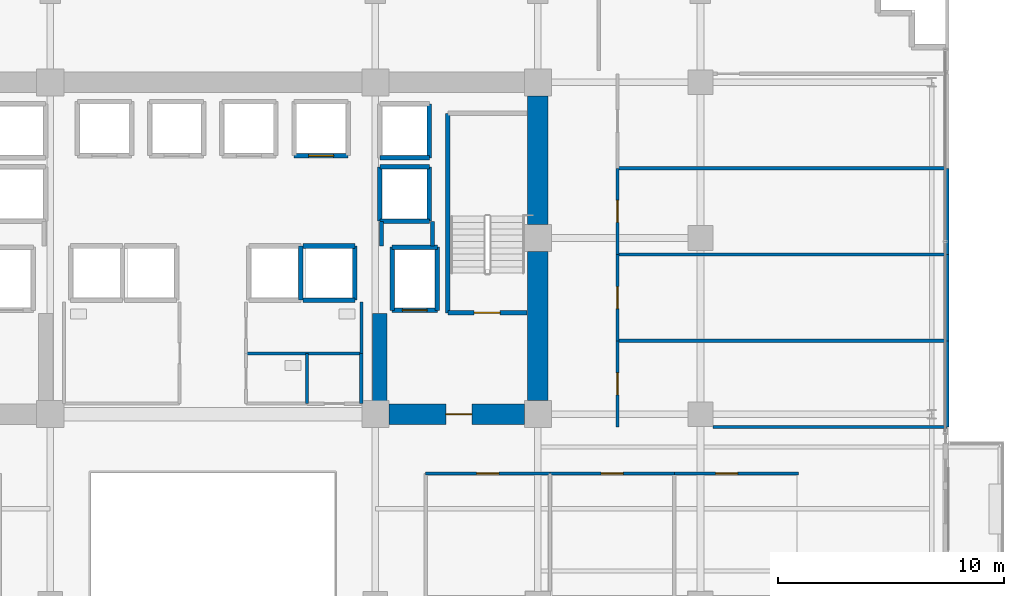
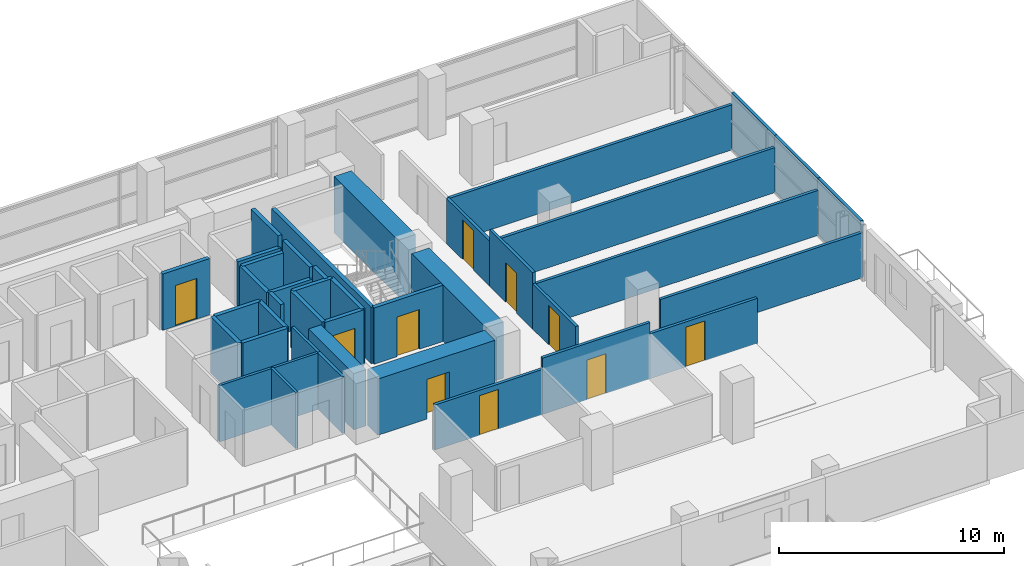
# One storey, part 21 of 27: 40 walls, 10 doors, 10 openings.
"""IFC4 building model written with IfcOpenShell, lengths in metres."""

from ifc_helpers import new_model, si_unit, direction, frame, frame_2d, origin, place, context, subcontext, project, spatial, rectangle, extrude, source, transform, mapped, material, layer, layer_set, type_object, element, fill, save


model = new_model("IFC4")

# Units and contexts
model_context = context("Model", 3, precision=1e-05, world=origin(), true_north=direction((0.0, 1.0)))
body_context = subcontext(model_context, "Body", "Model", "MODEL_VIEW")
ifc_project = project(units=[si_unit("LENGTHUNIT", "METRE"), si_unit("AREAUNIT", "SQUARE_METRE"), si_unit("VOLUMEUNIT", "CUBIC_METRE"), si_unit("PLANEANGLEUNIT", "RADIAN"), si_unit("MASSUNIT", "GRAM", prefix="KILO")], contexts=[model_context])

# Site, building, storey
site_placement = place(None, origin())
site = spatial("IfcSite", under=ifc_project, at=site_placement, CompositionType="ELEMENT")
building_placement = place(site_placement, origin())
building = spatial("IfcBuilding", under=site, at=building_placement, Name="Zarnakvel Exchange Tower", CompositionType="ELEMENT")
storey_placement = place(building_placement, frame((0.0, 0.0, 76.89990234375)))
storey = spatial("IfcBuildingStorey", under=building, at=storey_placement, Name="L21", CompositionType="ELEMENT", Elevation=76.89990234375)

# Walls
ifc_material_1 = material(Name="Concrete C80/95", Category="concrete")
ifc_layer_1 = layer(ifc_material_1, 0.89990234375)
ifc_layer_set_1 = layer_set([ifc_layer_1], Name="Concrete C80/95")
wall_type_1 = type_object("IfcWallType", Name="CW-C1", PredefinedType="SHEAR", material=ifc_layer_set_1)
wall_1_placement = place(storey_placement, frame((14.39990234375, -0.60009765625, 0.0), z_axis=(0.0, 0.0, 1.0), x_axis=(0.0, 1.0, 0.0)))
element("IfcWall", 1, at=wall_1_placement, inside=storey, type_object=wall_type_1, Name="L21 Rear Core Shear Wall E1 (CW-C1)", PredefinedType="SHEAR", context=body_context, shape_type="SweptSolid", body=[
    extrude(rectangle(XDim=6.60009765625, YDim=0.89990234375, at=frame_2d((3.300048828125, 0.0))), origin(), (0.0, 0.0, 1.0), 3.050048828125),
])
wall_2_placement = place(storey_placement, frame((14.39990234375, 7.199951171875, 0.0), z_axis=(0.0, 0.0, 1.0), x_axis=(0.0, 1.0, 0.0)))
element("IfcWall", 2, at=wall_2_placement, inside=storey, type_object=wall_type_1, Name="L21 Rear Core Shear Wall E2 (CW-C1)", PredefinedType="SHEAR", context=body_context, shape_type="SweptSolid", body=[
    extrude(rectangle(XDim=5.699951171875, YDim=0.89990234375, at=frame_2d((2.85009765625, 0.0))), origin(), (0.0, 0.0, 1.0), 3.050048828125),
])

# Wall, opening, door
wall_3_placement = place(storey_placement, frame((13.800048828125, -1.199951171875, 0.0), z_axis=(0.0, 0.0, 1.0), x_axis=(-1.0, 0.0, 0.0)))
wall_3 = element("IfcWall", 3, at=wall_3_placement, inside=storey, type_object=wall_type_1, Name="L21 Rear Core Shear Wall SE (CW-C1)", PredefinedType="SHEAR", context=body_context, shape_type="SweptSolid", body=[
    extrude(rectangle(XDim=6.0, YDim=0.89990234375, at=frame_2d((3.0, 0.0))), origin(), (0.0, 0.0, 1.0), 3.050048828125),
])
opening_1_placement = place(wall_3_placement, frame((2.324951171875, 0.0, 0.0)))
opening_1 = element("IfcOpeningElement", 4, at=opening_1_placement, cuts=wall_3, Name="Opening D-L21-04", PredefinedType="OPENING", context=body_context, shape_type="SweptSolid", body=[
    extrude(rectangle(XDim=1.14990234375, YDim=2.14990234375, at=frame_2d((0.574951171875, 1.074951171875))), frame((0.0, 0.4599609375, 0.0), z_axis=(0.0, -1.0, 0.0), x_axis=(1.0, 0.0, 0.0)), (0.0, 0.0, 1.0), 0.919921875),
])
ifc_material_2 = material(Name="Painted Galvanised Steel S355", Category="steel")
door_type_1 = type_object("IfcDoorType", Name="DT-04", OperationType="NOTDEFINED", PredefinedType="DOOR", material=ifc_material_2)
shared_shape_1 = source(origin(), body_context, "Body", "SweptSolid", [
    extrude(rectangle(XDim=1.14990234375, YDim=2.14990234375, at=frame_2d((0.574951171875, 1.074951171875))), frame((0.0, 0.02490234375, 0.0), z_axis=(0.0, -1.0, 0.0), x_axis=(1.0, 0.0, 0.0)), (0.0, 0.0, 1.0), 0.050048828125),
])
door_1_placement = place(opening_1_placement, origin())
door_1 = element("IfcDoor", 5, at=door_1_placement, inside=storey, type_object=door_type_1, Name="L21 Firefighting Lobby East Door D-L21-04", OperationType="SINGLE_SWING_LEFT", OverallHeight=2.14990234375, OverallWidth=1.14990234375, PredefinedType="DOOR", context=body_context, shape_type="MappedRepresentation", body=[
    mapped(shared_shape_1, transform((0.0, 0.0, 0.0), x_axis=(1.0, 0.0, 0.0), y_axis=(0.0, 1.0, 0.0), z_axis=(0.0, 0.0, 1.0), scale=1.0)),
])
fill(opening_1, door_1)

# Walls
ifc_layer_2 = layer(ifc_material_1, 0.64990234375)
ifc_layer_set_2 = layer_set([ifc_layer_2], Name="Concrete C80/95")
wall_type_2 = type_object("IfcWallType", Name="CW-C2", PredefinedType="SHEAR", material=ifc_layer_set_2)
wall_4_placement = place(storey_placement, frame((7.39990234375, -0.75, 0.0), z_axis=(0.0, 0.0, 1.0), x_axis=(0.0, 1.0, 0.0)))
element("IfcWall", 6, at=wall_4_placement, inside=storey, type_object=wall_type_2, Name="L21 Rear Core Shear Wall IE (CW-C2)", PredefinedType="SHEAR", context=body_context, shape_type="SweptSolid", body=[
    extrude(rectangle(XDim=4.0, YDim=0.64990234375, at=frame_2d((2.0, 0.0))), origin(), (0.0, 0.0, 1.0), 3.050048828125),
])
ifc_material_3 = material(Name="Fire-Rated Gypsum Stud Partition", Category="gypsum")
ifc_layer_3 = layer(ifc_material_3, 0.14990234375)
ifc_layer_set_3 = layer_set([ifc_layer_3], Name="Fire-Rated Gypsum Stud Partition")
wall_type_3 = type_object("IfcWallType", Name="PT-01", PredefinedType="PARTITIONING", material=ifc_layer_set_3)
wall_5_placement = place(storey_placement, frame((6.580078125, 1.47998046875, 0.0), z_axis=(0.0, 0.0, 1.0), x_axis=(0.0, -1.0, 0.0)))
element("IfcWall", 7, at=wall_5_placement, inside=storey, type_object=wall_type_3, Name="L21 Partition Wall PWALL-L21-021 (PT-01)", PredefinedType="PARTITIONING", context=body_context, shape_type="SweptSolid", body=[
    extrude(rectangle(XDim=2.2099609375, YDim=0.14990234375, at=frame_2d((1.10498046875, 0.0))), origin(), (0.0, 0.0, 1.0), 3.050048828125),
])

# Wall, opening, door
wall_6_placement = place(storey_placement, frame((9.429931640625, -3.830078125, 0.0), z_axis=(0.0, 0.0, 1.0), x_axis=(1.0, 0.0, 0.0)))
wall_6 = element("IfcWall", 8, at=wall_6_placement, inside=storey, type_object=wall_type_3, Name="L21 Partition Wall PWALL-L21-032 (PT-01)", PredefinedType="PARTITIONING", context=body_context, shape_type="SweptSolid", body=[
    extrude(rectangle(XDim=5.507568359375, YDim=0.14990234375, at=frame_2d((2.75390625, 0.0))), origin(), (0.0, 0.0, 1.0), 2.440185546875),
])
opening_2_placement = place(wall_6_placement, frame((2.263916015625, 0.0, 0.0)))
opening_2 = element("IfcOpeningElement", 9, at=opening_2_placement, cuts=wall_6, Name="Opening D-L21-12", PredefinedType="OPENING", context=body_context, shape_type="SweptSolid", body=[
    extrude(rectangle(XDim=0.97998046875, YDim=2.14990234375, at=frame_2d((0.489990234375, 1.074951171875))), frame((0.0, 0.0849609375, 0.0), z_axis=(0.0, -1.0, 0.0), x_axis=(1.0, 0.0, 0.0)), (0.0, 0.0, 1.0), 0.169921875),
])
ifc_material_4 = material(Name="Timber Acoustic Veneer", Category="wood")
door_type_2 = type_object("IfcDoorType", Name="DT-05", OperationType="NOTDEFINED", PredefinedType="DOOR", material=ifc_material_4)
shared_shape_2 = source(origin(), body_context, "Body", "SweptSolid", [
    extrude(rectangle(XDim=0.97998046875, YDim=2.14990234375, at=frame_2d((0.489990234375, 1.074951171875))), frame((0.0, 0.02490234375, 0.0), z_axis=(0.0, -1.0, 0.0), x_axis=(1.0, 0.0, 0.0)), (0.0, 0.0, 1.0), 0.050048828125),
])
door_2_placement = place(opening_2_placement, origin())
door_2 = element("IfcDoor", 10, at=door_2_placement, inside=storey, type_object=door_type_2, Name="L21 Boardroom Door D-L21-12", OperationType="SINGLE_SWING_LEFT", OverallHeight=2.14990234375, OverallWidth=0.97998046875, PredefinedType="DOOR", context=body_context, shape_type="MappedRepresentation", body=[
    mapped(shared_shape_2, transform((0.0, 0.0, 0.0), x_axis=(1.0, 0.0, 0.0), y_axis=(0.0, 1.0, 0.0), z_axis=(0.0, 0.0, 1.0), scale=1.0)),
])
fill(opening_2, door_2)

wall_7_placement = place(storey_placement, frame((14.9375, -3.830078125, 0.0), z_axis=(0.0, 0.0, 1.0), x_axis=(1.0, 0.0, 0.0)))
wall_7 = element("IfcWall", 11, at=wall_7_placement, inside=storey, type_object=wall_type_3, Name="L21 Partition Wall PWALL-L21-036 (PT-01)", PredefinedType="PARTITIONING", context=body_context, shape_type="SweptSolid", body=[
    extrude(rectangle(XDim=5.5078125, YDim=0.14990234375, at=frame_2d((2.75390625, 0.0))), origin(), (0.0, 0.0, 1.0), 3.050048828125),
])
opening_3_placement = place(wall_7_placement, frame((2.263427734375, 0.0, 0.0)))
opening_3 = element("IfcOpeningElement", 12, at=opening_3_placement, cuts=wall_7, Name="Opening D-L21-13", PredefinedType="OPENING", context=body_context, shape_type="SweptSolid", body=[
    extrude(rectangle(XDim=0.97998046875, YDim=2.14990234375, at=frame_2d((0.489990234375, 1.074951171875))), frame((0.0, 0.0849609375, 0.0), z_axis=(0.0, -1.0, 0.0), x_axis=(1.0, 0.0, 0.0)), (0.0, 0.0, 1.0), 0.169921875),
])
door_3_placement = place(opening_3_placement, origin())
door_3 = element("IfcDoor", 13, at=door_3_placement, inside=storey, type_object=door_type_2, Name="L21 Conference Room Door D-L21-13", OperationType="SINGLE_SWING_RIGHT", OverallHeight=2.14990234375, OverallWidth=0.97998046875, PredefinedType="DOOR", context=body_context, shape_type="MappedRepresentation", body=[
    mapped(shared_shape_2, transform((0.0, 0.0, 0.0), x_axis=(1.0, 0.0, 0.0), y_axis=(0.0, 1.0, 0.0), z_axis=(0.0, 0.0, 1.0), scale=1.0)),
])
fill(opening_3, door_3)

wall_8_placement = place(storey_placement, frame((20.4453125, -3.830078125, 0.0), z_axis=(0.0, 0.0, 1.0), x_axis=(1.0, 0.0, 0.0)))
wall_8 = element("IfcWall", 14, at=wall_8_placement, inside=storey, type_object=wall_type_3, Name="L21 Partition Wall PWALL-L21-038 (PT-01)", PredefinedType="PARTITIONING", context=body_context, shape_type="SweptSolid", body=[
    extrude(rectangle(XDim=5.507568359375, YDim=0.14990234375, at=frame_2d((2.75390625, 0.0))), origin(), (0.0, 0.0, 1.0), 2.440185546875),
])
opening_4_placement = place(wall_8_placement, frame((1.827880859375, 0.0, 0.0)))
opening_4 = element("IfcOpeningElement", 15, at=opening_4_placement, cuts=wall_8, Name="Opening D-L21-14", PredefinedType="OPENING", context=body_context, shape_type="SweptSolid", body=[
    extrude(rectangle(XDim=0.97998046875, YDim=2.14990234375, at=frame_2d((0.489990234375, 1.074951171875))), frame((0.0, 0.0849609375, 0.0), z_axis=(0.0, -1.0, 0.0), x_axis=(1.0, 0.0, 0.0)), (0.0, 0.0, 1.0), 0.169921875),
])
door_4_placement = place(opening_4_placement, origin())
door_4 = element("IfcDoor", 16, at=door_4_placement, inside=storey, type_object=door_type_2, Name="L21 Executive Pantry Door D-L21-14", OperationType="SINGLE_SWING_LEFT", OverallHeight=2.14990234375, OverallWidth=0.97998046875, PredefinedType="DOOR", context=body_context, shape_type="MappedRepresentation", body=[
    mapped(shared_shape_2, transform((0.0, 0.0, 0.0), x_axis=(1.0, 0.0, 0.0), y_axis=(0.0, 1.0, 0.0), z_axis=(0.0, 0.0, 1.0), scale=1.0)),
])
fill(opening_4, door_4)

# Walls
wall_9_placement = place(storey_placement, frame((32.530029296875, -1.77001953125, 0.0), z_axis=(0.0, 0.0, 1.0), x_axis=(-1.0, 0.0, 0.0)))
element("IfcWall", 17, at=wall_9_placement, inside=storey, type_object=wall_type_3, Name="L21 Partition Wall PWALL-L21-048 (PT-01)", PredefinedType="PARTITIONING", context=body_context, shape_type="SweptSolid", body=[
    extrude(rectangle(XDim=10.360107421875, YDim=0.14990234375, at=frame_2d((5.18017578125, 0.0))), origin(), (0.0, 0.0, 1.0), 2.440185546875),
])
wall_10_placement = place(storey_placement, frame((17.929931640625, 2.051025390625, 0.0), z_axis=(0.0, 0.0, 1.0), x_axis=(1.0, 0.0, 0.0)))
element("IfcWall", 18, at=wall_10_placement, inside=storey, type_object=wall_type_3, Name="L21 Partition Wall PWALL-L21-049 (PT-01)", PredefinedType="PARTITIONING", context=body_context, shape_type="SweptSolid", body=[
    extrude(rectangle(XDim=14.60009765625, YDim=0.14990234375, at=frame_2d((7.300048828125, 0.0))), origin(), (0.0, 0.0, 1.0), 2.440185546875),
])

# Wall, opening, door
wall_11_placement = place(storey_placement, frame((17.929931640625, -1.77001953125, 0.0), z_axis=(0.0, 0.0, 1.0), x_axis=(0.0, 1.0, 0.0)))
wall_11 = element("IfcWall", 19, at=wall_11_placement, inside=storey, type_object=wall_type_3, Name="L21 Partition Wall PWALL-L21-050 (PT-01)", PredefinedType="PARTITIONING", context=body_context, shape_type="SweptSolid", body=[
    extrude(rectangle(XDim=3.821044921875, YDim=0.14990234375, at=frame_2d((1.91064453125, 0.0))), origin(), (0.0, 0.0, 1.0), 2.440185546875),
])
opening_5_placement = place(wall_11_placement, frame((1.4208984375, 0.0, 0.0)))
opening_5 = element("IfcOpeningElement", 20, at=opening_5_placement, cuts=wall_11, Name="Opening D-L21-18", PredefinedType="OPENING", context=body_context, shape_type="SweptSolid", body=[
    extrude(rectangle(XDim=0.97998046875, YDim=2.14990234375, at=frame_2d((0.489990234375, 1.074951171875))), frame((0.0, 0.0849609375, 0.0), z_axis=(0.0, -1.0, 0.0), x_axis=(1.0, 0.0, 0.0)), (0.0, 0.0, 1.0), 0.169921875),
])
door_5_placement = place(opening_5_placement, origin())
door_5 = element("IfcDoor", 21, at=door_5_placement, inside=storey, type_object=door_type_2, Name="L21 Executive Pantry Door D-L21-18", OperationType="SINGLE_SWING_LEFT", OverallHeight=2.14990234375, OverallWidth=0.97998046875, PredefinedType="DOOR", context=body_context, shape_type="MappedRepresentation", body=[
    mapped(shared_shape_2, transform((0.0, 0.0, 0.0), x_axis=(1.0, 0.0, 0.0), y_axis=(0.0, 1.0, 0.0), z_axis=(0.0, 0.0, 1.0), scale=1.0)),
])
fill(opening_5, door_5)

# Walls
wall_12_placement = place(storey_placement, frame((32.530029296875, 2.051025390625, 0.0), z_axis=(0.0, 0.0, 1.0), x_axis=(0.0, -1.0, 0.0)))
element("IfcWall", 22, at=wall_12_placement, inside=storey, type_object=wall_type_3, Name="L21 Partition Wall PWALL-L21-051 (PT-01)", PredefinedType="PARTITIONING", context=body_context, shape_type="SweptSolid", body=[
    extrude(rectangle(XDim=3.821044921875, YDim=0.14990234375, at=frame_2d((1.91064453125, 0.0))), origin(), (0.0, 0.0, 1.0), 3.050048828125),
])
wall_13_placement = place(storey_placement, frame((17.929931640625, 5.8720703125, 0.0), z_axis=(0.0, 0.0, 1.0), x_axis=(1.0, 0.0, 0.0)))
element("IfcWall", 23, at=wall_13_placement, inside=storey, type_object=wall_type_3, Name="L21 Partition Wall PWALL-L21-052 (PT-01)", PredefinedType="PARTITIONING", context=body_context, shape_type="SweptSolid", body=[
    extrude(rectangle(XDim=14.60009765625, YDim=0.14990234375, at=frame_2d((7.300048828125, 0.0))), origin(), (0.0, 0.0, 1.0), 2.440185546875),
])

# Wall, opening, door
wall_14_placement = place(storey_placement, frame((17.929931640625, 2.051025390625, 0.0), z_axis=(0.0, 0.0, 1.0), x_axis=(0.0, 1.0, 0.0)))
wall_14 = element("IfcWall", 24, at=wall_14_placement, inside=storey, type_object=wall_type_3, Name="L21 Partition Wall PWALL-L21-053 (PT-01)", PredefinedType="PARTITIONING", context=body_context, shape_type="SweptSolid", body=[
    extrude(rectangle(XDim=3.821044921875, YDim=0.14990234375, at=frame_2d((1.91064453125, 0.0))), origin(), (0.0, 0.0, 1.0), 3.050048828125),
])
opening_6_placement = place(wall_14_placement, frame((1.4208984375, 0.0, 0.0)))
opening_6 = element("IfcOpeningElement", 25, at=opening_6_placement, cuts=wall_14, Name="Opening D-L21-19", PredefinedType="OPENING", context=body_context, shape_type="SweptSolid", body=[
    extrude(rectangle(XDim=0.97998046875, YDim=2.14990234375, at=frame_2d((0.489990234375, 1.074951171875))), frame((0.0, 0.0849609375, 0.0), z_axis=(0.0, -1.0, 0.0), x_axis=(1.0, 0.0, 0.0)), (0.0, 0.0, 1.0), 0.169921875),
])
door_6_placement = place(opening_6_placement, origin())
door_6 = element("IfcDoor", 26, at=door_6_placement, inside=storey, type_object=door_type_2, Name="L21 Legal Records Office Door D-L21-19", OperationType="SINGLE_SWING_RIGHT", OverallHeight=2.14990234375, OverallWidth=0.97998046875, PredefinedType="DOOR", context=body_context, shape_type="MappedRepresentation", body=[
    mapped(shared_shape_2, transform((0.0, 0.0, 0.0), x_axis=(1.0, 0.0, 0.0), y_axis=(0.0, 1.0, 0.0), z_axis=(0.0, 0.0, 1.0), scale=1.0)),
])
fill(opening_6, door_6)

# Walls
wall_15_placement = place(storey_placement, frame((32.530029296875, 5.8720703125, 0.0), z_axis=(0.0, 0.0, 1.0), x_axis=(0.0, -1.0, 0.0)))
element("IfcWall", 27, at=wall_15_placement, inside=storey, type_object=wall_type_3, Name="L21 Partition Wall PWALL-L21-054 (PT-01)", PredefinedType="PARTITIONING", context=body_context, shape_type="SweptSolid", body=[
    extrude(rectangle(XDim=3.821044921875, YDim=0.14990234375, at=frame_2d((1.91064453125, 0.0))), origin(), (0.0, 0.0, 1.0), 3.050048828125),
])
wall_16_placement = place(storey_placement, frame((17.929931640625, 9.693115234375, 0.0), z_axis=(0.0, 0.0, 1.0), x_axis=(1.0, 0.0, 0.0)))
element("IfcWall", 28, at=wall_16_placement, inside=storey, type_object=wall_type_3, Name="L21 Partition Wall PWALL-L21-055 (PT-01)", PredefinedType="PARTITIONING", context=body_context, shape_type="SweptSolid", body=[
    extrude(rectangle(XDim=14.60009765625, YDim=0.14990234375, at=frame_2d((7.300048828125, 0.0))), origin(), (0.0, 0.0, 1.0), 2.440185546875),
])

# Wall, opening, door
wall_17_placement = place(storey_placement, frame((17.929931640625, 5.8720703125, 0.0), z_axis=(0.0, 0.0, 1.0), x_axis=(0.0, 1.0, 0.0)))
wall_17 = element("IfcWall", 29, at=wall_17_placement, inside=storey, type_object=wall_type_3, Name="L21 Partition Wall PWALL-L21-056 (PT-01)", PredefinedType="PARTITIONING", context=body_context, shape_type="SweptSolid", body=[
    extrude(rectangle(XDim=3.821044921875, YDim=0.14990234375, at=frame_2d((1.91064453125, 0.0))), origin(), (0.0, 0.0, 1.0), 2.440185546875),
])
opening_7_placement = place(wall_17_placement, frame((1.419921875, 0.0, 0.0)))
opening_7 = element("IfcOpeningElement", 30, at=opening_7_placement, cuts=wall_17, Name="Opening D-L21-20", PredefinedType="OPENING", context=body_context, shape_type="SweptSolid", body=[
    extrude(rectangle(XDim=0.97998046875, YDim=2.14990234375, at=frame_2d((0.489990234375, 1.074951171875))), frame((0.0, 0.0849609375, 0.0), z_axis=(0.0, -1.0, 0.0), x_axis=(1.0, 0.0, 0.0)), (0.0, 0.0, 1.0), 0.169921875),
])
door_7_placement = place(opening_7_placement, origin())
door_7 = element("IfcDoor", 31, at=door_7_placement, inside=storey, type_object=door_type_2, Name="L21 Client Advisory Suite Door D-L21-20", OperationType="SINGLE_SWING_LEFT", OverallHeight=2.14990234375, OverallWidth=0.97998046875, PredefinedType="DOOR", context=body_context, shape_type="MappedRepresentation", body=[
    mapped(shared_shape_2, transform((0.0, 0.0, 0.0), x_axis=(1.0, 0.0, 0.0), y_axis=(0.0, 1.0, 0.0), z_axis=(0.0, 0.0, 1.0), scale=1.0)),
])
fill(opening_7, door_7)

# Walls
wall_18_placement = place(storey_placement, frame((32.530029296875, 9.693115234375, 0.0), z_axis=(0.0, 0.0, 1.0), x_axis=(0.0, -1.0, 0.0)))
element("IfcWall", 32, at=wall_18_placement, inside=storey, type_object=wall_type_3, Name="L21 Partition Wall PWALL-L21-057 (PT-01)", PredefinedType="PARTITIONING", context=body_context, shape_type="SweptSolid", body=[
    extrude(rectangle(XDim=3.821044921875, YDim=0.14990234375, at=frame_2d((1.91064453125, 0.0))), origin(), (0.0, 0.0, 1.0), 3.050048828125),
])
ifc_layer_4 = layer(ifc_material_3, 0.179931640625)
ifc_layer_set_4 = layer_set([ifc_layer_4], Name="Fire-Rated Gypsum Stud Partition")
wall_type_4 = type_object("IfcWallType", Name="PT-02", PredefinedType="PARTITIONING", material=ifc_layer_set_4)
wall_19_placement = place(storey_placement, frame((7.469970703125, 6.239990234375, 0.0), z_axis=(0.0, 0.0, 1.0), x_axis=(0.0, 1.0, 0.0)))
element("IfcWall", 33, at=wall_19_placement, inside=storey, type_object=wall_type_4, Name="L21 Partition Wall PWALL-L21-009 (PT-02)", PredefinedType="PARTITIONING", context=body_context, shape_type="SweptSolid", body=[
    extrude(rectangle(XDim=1.090087890625, YDim=0.179931640625, at=frame_2d((0.544921875, 0.0))), origin(), (0.0, 0.0, 1.0), 2.440185546875),
])
wall_20_placement = place(storey_placement, frame((9.72998046875, 7.330078125, 0.0), z_axis=(0.0, 0.0, 1.0), x_axis=(0.0, -1.0, 0.0)))
element("IfcWall", 34, at=wall_20_placement, inside=storey, type_object=wall_type_4, Name="L21 Partition Wall PWALL-L21-010 (PT-02)", PredefinedType="PARTITIONING", context=body_context, shape_type="SweptSolid", body=[
    extrude(rectangle(XDim=1.090087890625, YDim=0.179931640625, at=frame_2d((0.544921875, 0.0))), origin(), (0.0, 0.0, 1.0), 3.050048828125),
])
ifc_material_5 = material(Name="Moisture-Resistant Tile-Faced Partition", Category="gypsum")
ifc_layer_5 = layer(ifc_material_5, 0.135009765625)
ifc_layer_set_5 = layer_set([ifc_layer_5], Name="Moisture-Resistant Tile-Faced Partition")
wall_type_5 = type_object("IfcWallType", Name="PT-03", PredefinedType="PARTITIONING", material=ifc_layer_set_5)
wall_21_placement = place(storey_placement, frame((6.580078125, 1.47998046875, 0.0), z_axis=(0.0, 0.0, 1.0), x_axis=(-1.0, 0.0, 0.0)))
element("IfcWall", 35, at=wall_21_placement, inside=storey, type_object=wall_type_5, Name="L21 Partition Wall PWALL-L21-014 (PT-03)", PredefinedType="PARTITIONING", context=body_context, shape_type="SweptSolid", body=[
    extrude(rectangle(XDim=5.110107421875, YDim=0.135009765625, at=frame_2d((2.55517578125, 0.0))), origin(), (0.0, 0.0, 1.0), 3.050048828125),
])
wall_22_placement = place(storey_placement, frame((6.580078125, 3.760009765625, 0.0), z_axis=(0.0, 0.0, 1.0), x_axis=(0.0, -1.0, 0.0)))
element("IfcWall", 36, at=wall_22_placement, inside=storey, type_object=wall_type_5, Name="L21 Partition Wall PWALL-L21-016 (PT-03)", PredefinedType="PARTITIONING", context=body_context, shape_type="SweptSolid", body=[
    extrude(rectangle(XDim=2.280029296875, YDim=0.135009765625, at=frame_2d((1.14013671875, 0.0))), origin(), (0.0, 0.0, 1.0), 3.050048828125),
])
wall_23_placement = place(storey_placement, frame((4.179931640625, 1.47998046875, 0.0), z_axis=(0.0, 0.0, 1.0), x_axis=(0.0, -1.0, 0.0)))
element("IfcWall", 37, at=wall_23_placement, inside=storey, type_object=wall_type_5, Name="L21 Partition Wall PWALL-L21-019 (PT-03)", PredefinedType="PARTITIONING", context=body_context, shape_type="SweptSolid", body=[
    extrude(rectangle(XDim=2.2099609375, YDim=0.135009765625, at=frame_2d((1.10498046875, 0.0))), origin(), (0.0, 0.0, 1.0), 3.050048828125),
])

# Wall, opening, door
ifc_material_6 = material(Name="Concrete C40/50", Category="concrete")
ifc_layer_6 = layer(ifc_material_6, 0.199951171875)
ifc_layer_set_6 = layer_set([ifc_layer_6], Name="Concrete C40/50")
wall_type_6 = type_object("IfcWallType", Name="SW-01", PredefinedType="SOLIDWALL", material=ifc_layer_set_6)
wall_24_placement = place(storey_placement, frame((9.949951171875, 3.39990234375, 0.0), z_axis=(0.0, 0.0, 1.0), x_axis=(-1.0, 0.0, 0.0)))
wall_24 = element("IfcWall", 38, at=wall_24_placement, inside=storey, type_object=wall_type_6, Name="L21 FL-02 Hoistway Wall South", PredefinedType="SOLIDWALL", context=body_context, shape_type="SweptSolid", body=[
    extrude(rectangle(XDim=2.0, YDim=0.199951171875, at=frame_2d((1.0, 0.0))), origin(), (0.0, 0.0, 1.0), 3.050048828125),
])
opening_8_placement = place(wall_24_placement, frame((0.449951171875, 0.0, 0.0)))
opening_8 = element("IfcOpeningElement", 39, at=opening_8_placement, cuts=wall_24, Name="Opening LD-FL-02-L21", PredefinedType="OPENING", context=body_context, shape_type="SweptSolid", body=[
    extrude(rectangle(XDim=1.10009765625, YDim=2.199951171875, at=frame_2d((0.550048828125, 1.10009765625))), frame((0.0, 0.10986328125, 0.0), z_axis=(0.0, -1.0, 0.0), x_axis=(1.0, 0.0, 0.0)), (0.0, 0.0, 1.0), 0.219970703125),
])
ifc_material_7 = material(Name="Brushed Stainless Steel", Category="steel")
door_type_3 = type_object("IfcDoorType", Name="LDT-01", OperationType="NOTDEFINED", PredefinedType="DOOR", material=ifc_material_7)
shared_shape_3 = source(origin(), body_context, "Body", "SweptSolid", [
    extrude(rectangle(XDim=1.10009765625, YDim=2.199951171875, at=frame_2d((0.550048828125, 1.10009765625))), frame((0.0, 0.02490234375, 0.0), z_axis=(0.0, -1.0, 0.0), x_axis=(1.0, 0.0, 0.0)), (0.0, 0.0, 1.0), 0.050048828125),
])
door_8_placement = place(opening_8_placement, origin())
door_8 = element("IfcDoor", 40, at=door_8_placement, inside=storey, type_object=door_type_3, Name="L21 FL-02 Lift Landing Door LD-FL-02-L21", OperationType="DOUBLE_DOOR_SLIDING", OverallHeight=2.199951171875, OverallWidth=1.10009765625, PredefinedType="DOOR", context=body_context, shape_type="MappedRepresentation", body=[
    mapped(shared_shape_3, transform((0.0, 0.0, 0.0), x_axis=(1.0, 0.0, 0.0), y_axis=(0.0, 1.0, 0.0), z_axis=(0.0, 0.0, 1.0), scale=1.0)),
])
fill(opening_8, door_8)

# Walls
wall_25_placement = place(storey_placement, frame((7.949951171875, 6.199951171875, 0.0), z_axis=(0.0, 0.0, 1.0), x_axis=(1.0, 0.0, 0.0)))
element("IfcWall", 41, at=wall_25_placement, inside=storey, type_object=wall_type_6, Name="L21 FL-02 Hoistway Wall North", PredefinedType="SOLIDWALL", context=body_context, shape_type="SweptSolid", body=[
    extrude(rectangle(XDim=2.0, YDim=0.199951171875, at=frame_2d((1.0, 0.0))), origin(), (0.0, 0.0, 1.0), 3.050048828125),
])
for number, where, z_axis, x_axis, name in (
    (42, (7.949951171875, 3.39990234375, 0.0), (0.0, 0.0, 1.0), (0.0, 1.0, 0.0), "L21 FL-02 Hoistway Wall West"),
    (43, (9.949951171875, 6.199951171875, 0.0), (0.0, 0.0, 1.0), (0.0, -1.0, 0.0), "L21 FL-02 Hoistway Wall East"),
):
    element("IfcWall", number, at=place(storey_placement, frame(where, z_axis=z_axis, x_axis=x_axis)), inside=storey, type_object=wall_type_6, Name=name, PredefinedType="SOLIDWALL", context=body_context, shape_type="SweptSolid", body=[
        extrude(rectangle(XDim=2.800048828125, YDim=0.199951171875, at=frame_2d((1.39990234375, 0.0))), origin(), (0.0, 0.0, 1.0), 3.050048828125),
    ])

# Wall, opening, door
wall_26_placement = place(storey_placement, frame((6.0, 10.25, 0.0), z_axis=(0.0, 0.0, 1.0), x_axis=(-1.0, 0.0, 0.0)))
wall_26 = element("IfcWall", 44, at=wall_26_placement, inside=storey, type_object=wall_type_6, Name="L21 PL-04 Hoistway Wall South", PredefinedType="SOLIDWALL", context=body_context, shape_type="SweptSolid", body=[
    extrude(rectangle(XDim=2.39990234375, YDim=0.199951171875, at=frame_2d((1.199951171875, 0.0))), origin(), (0.0, 0.0, 1.0), 3.050048828125),
])
opening_9_placement = place(wall_26_placement, frame((0.64990234375, 0.0, 0.0)))
opening_9 = element("IfcOpeningElement", 45, at=opening_9_placement, cuts=wall_26, Name="Opening LD-PL-04-L21", PredefinedType="OPENING", context=body_context, shape_type="SweptSolid", body=[
    extrude(rectangle(XDim=1.10009765625, YDim=2.199951171875, at=frame_2d((0.550048828125, 1.10009765625))), frame((0.0, 0.10986328125, 0.0), z_axis=(0.0, -1.0, 0.0), x_axis=(1.0, 0.0, 0.0)), (0.0, 0.0, 1.0), 0.219970703125),
])
ifc_material_8 = material(Name="Architectural Bronze Anodised Aluminium", Category="aluminium")
door_type_4 = type_object("IfcDoorType", Name="LDT-02", OperationType="NOTDEFINED", PredefinedType="DOOR", material=ifc_material_8)
door_9_placement = place(opening_9_placement, origin())
door_9 = element("IfcDoor", 46, at=door_9_placement, inside=storey, type_object=door_type_4, Name="L21 PL-04 Lift Landing Door LD-PL-04-L21", OperationType="DOUBLE_DOOR_SLIDING", OverallHeight=2.199951171875, OverallWidth=1.10009765625, PredefinedType="DOOR", context=body_context, shape_type="MappedRepresentation", body=[
    mapped(shared_shape_3, transform((0.0, 0.0, 0.0), x_axis=(1.0, 0.0, 0.0), y_axis=(0.0, 1.0, 0.0), z_axis=(0.0, 0.0, 1.0), scale=1.0)),
])
fill(opening_9, door_9)

# Walls
wall_27_placement = place(storey_placement, frame((3.89990234375, 6.25, 0.0), z_axis=(0.0, 0.0, 1.0), x_axis=(0.0, -1.0, 0.0)))
element("IfcWall", 47, at=wall_27_placement, inside=storey, type_object=wall_type_6, Name="L21 PL-07 Hoistway Wall East", PredefinedType="SOLIDWALL", context=body_context, shape_type="SweptSolid", body=[
    extrude(rectangle(XDim=2.39990234375, YDim=0.199951171875, at=frame_2d((1.199951171875, 0.0))), origin(), (0.0, 0.0, 1.0), 3.050048828125),
])
for number, where, z_axis, x_axis, name in (
    (48, (6.300048828125, 3.85009765625, 0.0), (0.0, 0.0, 1.0), (-1.0, 0.0, 0.0), "L21 PL-08 Hoistway Wall South"),
    (49, (4.0, 6.25, 0.0), (0.0, 0.0, 1.0), (1.0, 0.0, 0.0), "L21 PL-08 Hoistway Wall North"),
):
    element("IfcWall", number, at=place(storey_placement, frame(where, z_axis=z_axis, x_axis=x_axis)), inside=storey, type_object=wall_type_6, Name=name, PredefinedType="SOLIDWALL", context=body_context, shape_type="SweptSolid", body=[
        extrude(rectangle(XDim=2.300048828125, YDim=0.199951171875, at=frame_2d((1.14990234375, 0.0))), origin(), (0.0, 0.0, 1.0), 3.050048828125),
    ])
wall_28_placement = place(storey_placement, frame((6.300048828125, 6.25, 0.0), z_axis=(0.0, 0.0, 1.0), x_axis=(0.0, -1.0, 0.0)))
element("IfcWall", 50, at=wall_28_placement, inside=storey, type_object=wall_type_6, Name="L21 PL-08 Hoistway Wall East", PredefinedType="SOLIDWALL", context=body_context, shape_type="SweptSolid", body=[
    extrude(rectangle(XDim=2.39990234375, YDim=0.199951171875, at=frame_2d((1.199951171875, 0.0))), origin(), (0.0, 0.0, 1.0), 3.050048828125),
])
for number, where, z_axis, x_axis, name in (
    (51, (9.60009765625, 7.35009765625, 0.0), (0.0, 0.0, 1.0), (-1.0, 0.0, 0.0), "L21 PL-11 Hoistway Wall South"),
    (52, (7.39990234375, 9.75, 0.0), (0.0, 0.0, 1.0), (1.0, 0.0, 0.0), "L21 PL-11 Hoistway Wall North"),
):
    element("IfcWall", number, at=place(storey_placement, frame(where, z_axis=z_axis, x_axis=x_axis)), inside=storey, type_object=wall_type_6, Name=name, PredefinedType="SOLIDWALL", context=body_context, shape_type="SweptSolid", body=[
        extrude(rectangle(XDim=2.2001953125, YDim=0.199951171875, at=frame_2d((1.10009765625, 0.0))), origin(), (0.0, 0.0, 1.0), 2.440185546875),
    ])
wall_29_placement = place(storey_placement, frame((7.39990234375, 7.35009765625, 0.0), z_axis=(0.0, 0.0, 1.0), x_axis=(0.0, 1.0, 0.0)))
element("IfcWall", 53, at=wall_29_placement, inside=storey, type_object=wall_type_6, Name="L21 PL-11 Hoistway Wall West", PredefinedType="SOLIDWALL", context=body_context, shape_type="SweptSolid", body=[
    extrude(rectangle(XDim=2.39990234375, YDim=0.199951171875, at=frame_2d((1.199951171875, 0.0))), origin(), (0.0, 0.0, 1.0), 2.440185546875),
])
wall_30_placement = place(storey_placement, frame((9.60009765625, 9.75, 0.0), z_axis=(0.0, 0.0, 1.0), x_axis=(0.0, -1.0, 0.0)))
element("IfcWall", 54, at=wall_30_placement, inside=storey, type_object=wall_type_6, Name="L21 PL-11 Hoistway Wall East", PredefinedType="SOLIDWALL", context=body_context, shape_type="SweptSolid", body=[
    extrude(rectangle(XDim=2.39990234375, YDim=0.199951171875, at=frame_2d((1.199951171875, 0.0))), origin(), (0.0, 0.0, 1.0), 3.050048828125),
])
wall_31_placement = place(storey_placement, frame((9.60009765625, 10.14990234375, 0.0), z_axis=(0.0, 0.0, 1.0), x_axis=(-1.0, 0.0, 0.0)))
element("IfcWall", 55, at=wall_31_placement, inside=storey, type_object=wall_type_6, Name="L21 PL-12 Hoistway Wall South", PredefinedType="SOLIDWALL", context=body_context, shape_type="SweptSolid", body=[
    extrude(rectangle(XDim=2.2001953125, YDim=0.199951171875, at=frame_2d((1.10009765625, 0.0))), origin(), (0.0, 0.0, 1.0), 2.440185546875),
])
wall_32_placement = place(storey_placement, frame((9.60009765625, 12.550048828125, 0.0), z_axis=(0.0, 0.0, 1.0), x_axis=(0.0, -1.0, 0.0)))
element("IfcWall", 56, at=wall_32_placement, inside=storey, type_object=wall_type_6, Name="L21 PL-12 Hoistway Wall East", PredefinedType="SOLIDWALL", context=body_context, shape_type="SweptSolid", body=[
    extrude(rectangle(XDim=2.400146484375, YDim=0.199951171875, at=frame_2d((1.2001953125, 0.0))), origin(), (0.0, 0.0, 1.0), 3.050048828125),
])

# Wall, opening, door
ifc_layer_7 = layer(ifc_material_6, 0.199951171875)
ifc_layer_set_7 = layer_set([ifc_layer_7], Name="Concrete C40/50")
wall_type_7 = type_object("IfcWallType", Name="SW-02", PredefinedType="SOLIDWALL", material=ifc_layer_set_7)
wall_33_placement = place(storey_placement, frame((13.929931640625, 3.2900390625, 0.0), z_axis=(0.0, 0.0, 1.0), x_axis=(-1.0, 0.0, 0.0)))
wall_33 = element("IfcWall", 57, at=wall_33_placement, inside=storey, type_object=wall_type_7, Name="L21 Stairwell Core Wall PWALL-L21-004 (SW-02)", PredefinedType="SOLIDWALL", context=body_context, shape_type="SweptSolid", body=[
    extrude(rectangle(XDim=3.52001953125, YDim=0.199951171875, at=frame_2d((1.760009765625, 0.0))), origin(), (0.0, 0.0, 1.0), 3.050048828125),
])
opening_10_placement = place(wall_33_placement, frame((1.205078125, 0.0, 0.0)))
opening_10 = element("IfcOpeningElement", 58, at=opening_10_placement, cuts=wall_33, Name="Opening D-L21-02", PredefinedType="OPENING", context=body_context, shape_type="SweptSolid", body=[
    extrude(rectangle(XDim=1.14990234375, YDim=2.14990234375, at=frame_2d((0.574951171875, 1.074951171875))), frame((0.0, 0.10986328125, 0.0), z_axis=(0.0, -1.0, 0.0), x_axis=(1.0, 0.0, 0.0)), (0.0, 0.0, 1.0), 0.219970703125),
])
door_10_placement = place(opening_10_placement, origin())
door_10 = element("IfcDoor", 59, at=door_10_placement, inside=storey, type_object=door_type_1, Name="L21 Stairwell ST-02 Door D-L21-02", OperationType="SINGLE_SWING_LEFT", OverallHeight=2.14990234375, OverallWidth=1.14990234375, PredefinedType="DOOR", context=body_context, shape_type="MappedRepresentation", body=[
    mapped(shared_shape_1, transform((0.0, 0.0, 0.0), x_axis=(1.0, 0.0, 0.0), y_axis=(0.0, 1.0, 0.0), z_axis=(0.0, 0.0, 1.0), scale=1.0)),
])
fill(opening_10, door_10)

# Wall
wall_34_placement = place(storey_placement, frame((10.409912109375, 3.2900390625, 0.0), z_axis=(0.0, 0.0, 1.0), x_axis=(0.0, 1.0, 0.0)))
element("IfcWall", 60, at=wall_34_placement, inside=storey, type_object=wall_type_7, Name="L21 Stairwell Core Wall PWALL-L21-006 (SW-02)", PredefinedType="SOLIDWALL", context=body_context, shape_type="SweptSolid", body=[
    extrude(rectangle(XDim=8.83984375, YDim=0.199951171875, at=frame_2d((4.419921875, 0.0))), origin(), (0.0, 0.0, 1.0), 3.050048828125),
])

save(model, "model.ifc")
